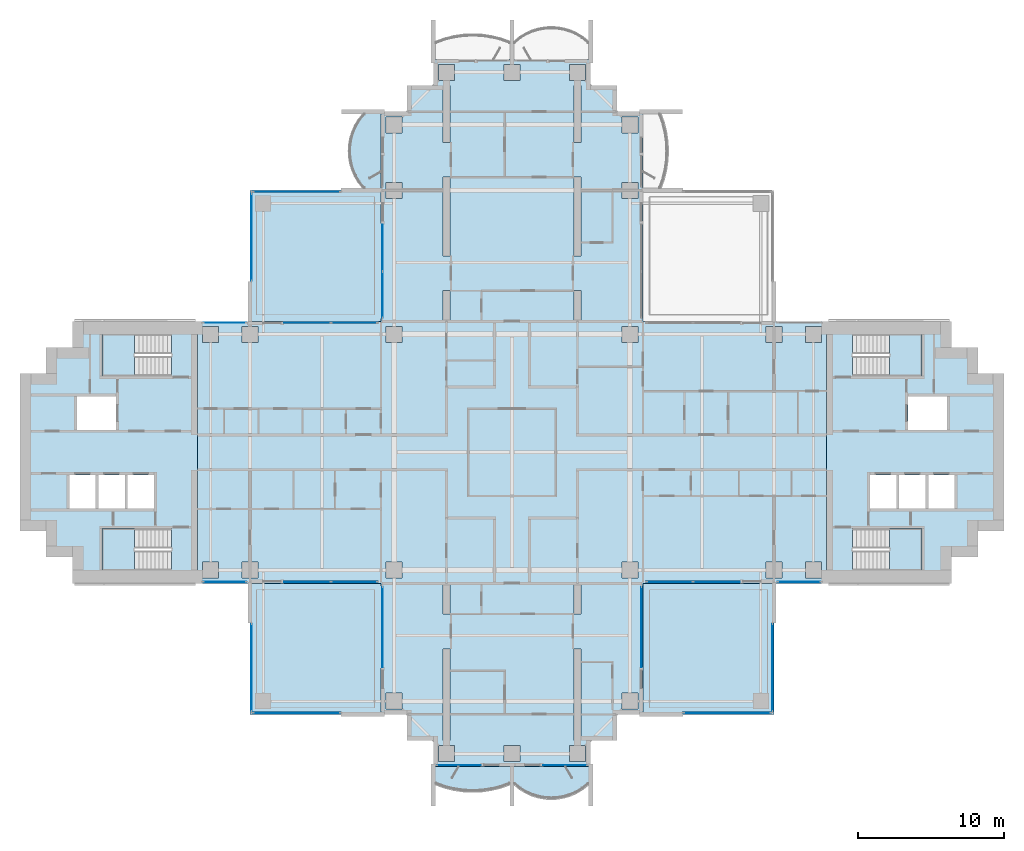
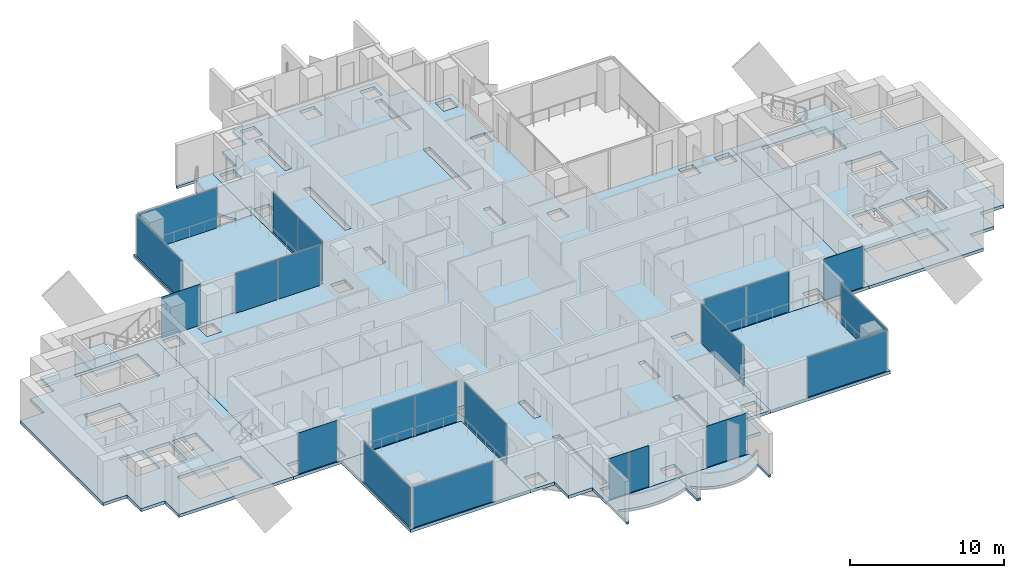
# One storey, part 7 of 19: 21 plates, 13 slabs, 21 elements without a shape of their own.
"""IFC4 building model written with IfcOpenShell, lengths in metres."""

from ifc_helpers import new_model, si_unit, direction, frame, origin, origin_2d, place, context, subcontext, project, spatial, polyline, rectangle, outline, extrude, material, layer, layer_set, type_object, element, aggregate, save


model = new_model("IFC4")

# Units and contexts
model_context = context("Model", 3, precision=1e-05, world=origin(), true_north=direction((0.0, 1.0)))
body_context = subcontext(model_context, "Body", "Model", "MODEL_VIEW")
ifc_project = project(units=[si_unit("LENGTHUNIT", "METRE"), si_unit("AREAUNIT", "SQUARE_METRE"), si_unit("VOLUMEUNIT", "CUBIC_METRE"), si_unit("PLANEANGLEUNIT", "RADIAN"), si_unit("MASSUNIT", "GRAM", prefix="KILO")], contexts=[model_context])

# Site, building, storey
site_placement = place(None, origin())
site = spatial("IfcSite", under=ifc_project, at=site_placement, CompositionType="ELEMENT")
building_placement = place(site_placement, origin())
building = spatial("IfcBuilding", under=site, at=building_placement, Name="Perihelion Cross Residences", CompositionType="ELEMENT")
storey_placement = place(building_placement, frame((0.0, 0.0, 126.89990234375)))
storey = spatial("IfcBuildingStorey", under=building, at=storey_placement, Name="L30", CompositionType="ELEMENT", Elevation=126.89990234375)

# Slabs
ifc_material_1 = material(Name="Concrete C40/50", Category="concrete")
ifc_layer_1 = layer(ifc_material_1, 0.199951171875)
ifc_layer_set_1 = layer_set([ifc_layer_1], Name="Balcony slab 200")
slab_type_1 = type_object("IfcSlabType", Name="Balcony slab 200", PredefinedType="FLOOR", material=ifc_layer_set_1)
slab_1_placement = place(storey_placement, frame((0.0, 0.0, -0.199951171875)))
element("IfcSlab", 1, at=slab_1_placement, inside=storey, type_object=slab_type_1, Name="Slab BK1 L30 north side west bay 1 balcony", PredefinedType="FLOOR", context=body_context, shape_type="SweptSolid", body=[
    extrude(outline(polyline([(-9.0, 23.39990234375), (-9.0, 18.0), (-11.699951171875, 18.0), (-11.699951171875, 18.14990234375), (-10.199951171875, 18.14990234375), (-10.5400390625, 18.574951171875), (-10.792724609375, 19.0), (-10.9765625, 19.425048828125), (-11.1025390625, 19.85009765625), (-11.17578125, 20.27490234375), (-11.199951171875, 20.699951171875), (-11.17578125, 21.125), (-11.1025390625, 21.550048828125), (-10.9765625, 21.97509765625), (-10.792724609375, 22.39990234375), (-10.5400390625, 22.824951171875), (-10.199951171875, 23.25), (-11.699951171875, 23.25), (-11.699951171875, 23.39990234375), (-9.0, 23.39990234375)])), origin(), (0.0, 0.0, 1.0), 0.199951171875),
])
slab_2_placement = place(storey_placement, frame((0.0, 0.0, -0.199951171875)))
element("IfcSlab", 2, at=slab_2_placement, inside=storey, type_object=slab_type_1, Name="Slab BK1 L30 south tip south bay 1 balcony", PredefinedType="FLOOR", context=body_context, shape_type="SweptSolid", body=[
    extrude(outline(polyline([(-5.39990234375, -21.60009765625), (0.0, -21.60009765625), (0.0, -24.300048828125), (-0.14990234375, -24.300048828125), (-0.14990234375, -22.800048828125), (-0.78759765625, -23.0234375), (-1.425048828125, -23.178466796875), (-2.0625, -23.269775390625), (-2.699951171875, -23.300048828125), (-3.33740234375, -23.269775390625), (-3.97509765625, -23.178466796875), (-4.612548828125, -23.0234375), (-5.25, -22.800048828125), (-5.25, -24.300048828125), (-5.39990234375, -24.300048828125), (-5.39990234375, -21.60009765625)])), origin(), (0.0, 0.0, 1.0), 0.199951171875),
])
slab_3_placement = place(storey_placement, frame((0.0, 0.0, -0.199951171875)))
element("IfcSlab", 3, at=slab_3_placement, inside=storey, type_object=slab_type_1, Name="Slab BK1 L30 south tip south bay 2 balcony", PredefinedType="FLOOR", context=body_context, shape_type="SweptSolid", body=[
    extrude(outline(polyline([(0.0, -21.60009765625), (5.39990234375, -21.60009765625), (5.39990234375, -24.300048828125), (5.25, -24.300048828125), (5.25, -22.800048828125), (4.824951171875, -23.14013671875), (4.39990234375, -23.392578125), (3.97509765625, -23.57666015625), (3.550048828125, -23.702392578125), (3.125, -23.77587890625), (2.699951171875, -23.800048828125), (2.27490234375, -23.77587890625), (1.85009765625, -23.702392578125), (1.425048828125, -23.57666015625), (1.0, -23.392578125), (0.574951171875, -23.14013671875), (0.14990234375, -22.800048828125), (0.14990234375, -24.300048828125), (0.0, -24.300048828125), (0.0, -21.60009765625)])), origin(), (0.0, 0.0, 1.0), 0.199951171875),
])

# Curtain wall, plates
ifc_material_2 = material(Name="Bronze anodised aluminium, tinted glazing", Category="aluminium")
curtain_wall_type_1 = type_object("IfcCurtainWallType", Name="CW1", PredefinedType="NOTDEFINED", material=ifc_material_2)
curtain_wall_1_placement = place(storey_placement, origin())
curtain_wall_1 = element("IfcCurtainWall", 4, at=curtain_wall_1_placement, inside=storey, type_object=curtain_wall_type_1, Name="Curtain wall CW1 L30 north side west bay 2", PredefinedType="NOTDEFINED")
ifc_material_3 = material(Name="Tinted laminated glass", Category="glass")
ifc_layer_2 = layer(ifc_material_3, 0.028076171875)
ifc_layer_set_2 = layer_set([ifc_layer_2], Name="CW1 panel")
plate_type_1 = type_object("IfcPlateType", Name="CW1 panel", PredefinedType="CURTAIN_PANEL", material=ifc_layer_set_2)
plate_1_placement = place(storey_placement, frame((-8.89990234375, 14.052490234375, 0.000244140625), z_axis=(0.0, 0.0, 1.0), x_axis=(0.0, -1.0, 0.0)))
plate_1 = element("IfcPlate", 5, at=plate_1_placement, type_object=plate_type_1, Name="CW1 panel 1", PredefinedType="CURTAIN_PANEL", context=body_context, shape_type="SweptSolid", body=[
    extrude(rectangle(XDim=3.195068359375, YDim=0.028076171875, at=origin_2d()), origin(), (0.0, 0.0, 1.0), 3.18994140625),
])
plate_2_placement = place(storey_placement, frame((-8.89990234375, 10.827392578125, 0.000244140625), z_axis=(0.0, 0.0, 1.0), x_axis=(0.0, -1.0, 0.0)))
plate_2 = element("IfcPlate", 6, at=plate_2_placement, type_object=plate_type_1, Name="CW1 panel 2", PredefinedType="CURTAIN_PANEL", context=body_context, shape_type="SweptSolid", body=[
    extrude(rectangle(XDim=3.135009765625, YDim=0.028076171875, at=origin_2d()), origin(), (0.0, 0.0, 1.0), 3.18994140625),
])
aggregate(curtain_wall_1, [plate_1, plate_2])

curtain_wall_2_placement = place(storey_placement, origin())
curtain_wall_2 = element("IfcCurtainWall", 7, at=curtain_wall_2_placement, inside=storey, type_object=curtain_wall_type_1, Name="Curtain wall CW1 L30 west side north bay 1", PredefinedType="NOTDEFINED")
plate_3_placement = place(storey_placement, frame((-10.827392578125, 8.89990234375, 0.000244140625), z_axis=(0.0, 0.0, 1.0), x_axis=(-1.0, 0.0, 0.0)))
plate_3 = element("IfcPlate", 8, at=plate_3_placement, type_object=plate_type_1, Name="CW1 panel 1", PredefinedType="CURTAIN_PANEL", context=body_context, shape_type="SweptSolid", body=[
    extrude(rectangle(XDim=3.135009765625, YDim=0.028076171875, at=origin_2d()), origin(), (0.0, 0.0, 1.0), 3.18994140625),
])
plate_4_placement = place(storey_placement, frame((-14.052490234375, 8.89990234375, 0.000244140625), z_axis=(0.0, 0.0, 1.0), x_axis=(-1.0, 0.0, 0.0)))
plate_4 = element("IfcPlate", 9, at=plate_4_placement, type_object=plate_type_1, Name="CW1 panel 2", PredefinedType="CURTAIN_PANEL", context=body_context, shape_type="SweptSolid", body=[
    extrude(rectangle(XDim=3.195068359375, YDim=0.028076171875, at=origin_2d()), origin(), (0.0, 0.0, 1.0), 3.18994140625),
])
aggregate(curtain_wall_2, [plate_3, plate_4])

# Curtain wall, plate
curtain_wall_3_placement = place(storey_placement, origin())
curtain_wall_3 = element("IfcCurtainWall", 10, at=curtain_wall_3_placement, inside=storey, type_object=curtain_wall_type_1, Name="Curtain wall CW1 L30 west side north bay 2", PredefinedType="NOTDEFINED")
plate_5_placement = place(storey_placement, frame((-19.72509765625, 8.89990234375, 0.0), z_axis=(0.0, 0.0, 1.0), x_axis=(-1.0, 0.0, 0.0)))
plate_5 = element("IfcPlate", 11, at=plate_5_placement, type_object=plate_type_1, Name="CW1 panel 1", PredefinedType="CURTAIN_PANEL", context=body_context, shape_type="SweptSolid", body=[
    extrude(rectangle(XDim=2.929931640625, YDim=0.028076171875, at=origin_2d()), origin(), (0.0, 0.0, 1.0), 3.25),
])
aggregate(curtain_wall_3, [plate_5])

curtain_wall_4_placement = place(storey_placement, origin())
curtain_wall_4 = element("IfcCurtainWall", 12, at=curtain_wall_4_placement, inside=storey, type_object=curtain_wall_type_1, Name="Curtain wall CW1 L30 west side south bay 1", PredefinedType="NOTDEFINED")
plate_6_placement = place(storey_placement, frame((-19.72509765625, -8.89990234375, 0.0), z_axis=(0.0, 0.0, 1.0), x_axis=(1.0, 0.0, 0.0)))
plate_6 = element("IfcPlate", 13, at=plate_6_placement, type_object=plate_type_1, Name="CW1 panel 1", PredefinedType="CURTAIN_PANEL", context=body_context, shape_type="SweptSolid", body=[
    extrude(rectangle(XDim=2.929931640625, YDim=0.028076171875, at=origin_2d()), origin(), (0.0, 0.0, 1.0), 3.25),
])
aggregate(curtain_wall_4, [plate_6])

# Curtain wall, plates
curtain_wall_5_placement = place(storey_placement, origin())
curtain_wall_5 = element("IfcCurtainWall", 14, at=curtain_wall_5_placement, inside=storey, type_object=curtain_wall_type_1, Name="Curtain wall CW1 L30 west side south bay 2", PredefinedType="NOTDEFINED")
plate_7_placement = place(storey_placement, frame((-14.052490234375, -8.89990234375, 0.000244140625), z_axis=(0.0, 0.0, 1.0), x_axis=(1.0, 0.0, 0.0)))
plate_7 = element("IfcPlate", 15, at=plate_7_placement, type_object=plate_type_1, Name="CW1 panel 1", PredefinedType="CURTAIN_PANEL", context=body_context, shape_type="SweptSolid", body=[
    extrude(rectangle(XDim=3.195068359375, YDim=0.028076171875, at=origin_2d()), origin(), (0.0, 0.0, 1.0), 3.18994140625),
])
plate_8_placement = place(storey_placement, frame((-10.827392578125, -8.89990234375, 0.000244140625), z_axis=(0.0, 0.0, 1.0), x_axis=(1.0, 0.0, 0.0)))
plate_8 = element("IfcPlate", 16, at=plate_8_placement, type_object=plate_type_1, Name="CW1 panel 2", PredefinedType="CURTAIN_PANEL", context=body_context, shape_type="SweptSolid", body=[
    extrude(rectangle(XDim=3.135009765625, YDim=0.028076171875, at=origin_2d()), origin(), (0.0, 0.0, 1.0), 3.18994140625),
])
aggregate(curtain_wall_5, [plate_7, plate_8])

# Curtain wall, plate
curtain_wall_6_placement = place(storey_placement, origin())
curtain_wall_6 = element("IfcCurtainWall", 17, at=curtain_wall_6_placement, inside=storey, type_object=curtain_wall_type_1, Name="Curtain wall CW1 L30 south side west bay 1", PredefinedType="NOTDEFINED")
plate_9_placement = place(storey_placement, frame((-8.89990234375, -12.0048828125, 0.000244140625), z_axis=(0.0, 0.0, 1.0), x_axis=(0.0, -1.0, 0.0)))
plate_9 = element("IfcPlate", 18, at=plate_9_placement, type_object=plate_type_1, Name="CW1 panel 1", PredefinedType="CURTAIN_PANEL", context=body_context, shape_type="SweptSolid", body=[
    extrude(rectangle(XDim=5.489990234375, YDim=0.028076171875, at=origin_2d()), origin(), (0.0, 0.0, 1.0), 3.18994140625),
])
aggregate(curtain_wall_6, [plate_9])

curtain_wall_7_placement = place(storey_placement, origin())
curtain_wall_7 = element("IfcCurtainWall", 19, at=curtain_wall_7_placement, inside=storey, type_object=curtain_wall_type_1, Name="Curtain wall CW1 L30 south tip south bay 1", PredefinedType="NOTDEFINED")
plate_10_placement = place(storey_placement, frame((-3.64501953125, -21.5, 0.0), z_axis=(0.0, 0.0, 1.0), x_axis=(1.0, 0.0, 0.0)))
plate_10 = element("IfcPlate", 20, at=plate_10_placement, type_object=plate_type_1, Name="CW1 panel 1", PredefinedType="CURTAIN_PANEL", context=body_context, shape_type="SweptSolid", body=[
    extrude(rectangle(XDim=2.989990234375, YDim=0.028076171875, at=origin_2d()), origin(), (0.0, 0.0, 1.0), 3.25),
])
aggregate(curtain_wall_7, [plate_10])

curtain_wall_8_placement = place(storey_placement, origin())
curtain_wall_8 = element("IfcCurtainWall", 21, at=curtain_wall_8_placement, inside=storey, type_object=curtain_wall_type_1, Name="Curtain wall CW1 L30 south tip south bay 2", PredefinedType="NOTDEFINED")
plate_11_placement = place(storey_placement, frame((3.64501953125, -21.5, 0.0), z_axis=(0.0, 0.0, 1.0), x_axis=(1.0, 0.0, 0.0)))
plate_11 = element("IfcPlate", 22, at=plate_11_placement, type_object=plate_type_1, Name="CW1 panel 1", PredefinedType="CURTAIN_PANEL", context=body_context, shape_type="SweptSolid", body=[
    extrude(rectangle(XDim=2.989990234375, YDim=0.028076171875, at=origin_2d()), origin(), (0.0, 0.0, 1.0), 3.25),
])
aggregate(curtain_wall_8, [plate_11])

curtain_wall_9_placement = place(storey_placement, origin())
curtain_wall_9 = element("IfcCurtainWall", 23, at=curtain_wall_9_placement, inside=storey, type_object=curtain_wall_type_1, Name="Curtain wall CW1 L30 south side east bay 1", PredefinedType="NOTDEFINED")
plate_12_placement = place(storey_placement, frame((8.89990234375, -12.0048828125, 0.000244140625), z_axis=(0.0, 0.0, 1.0), x_axis=(0.0, 1.0, 0.0)))
plate_12 = element("IfcPlate", 24, at=plate_12_placement, type_object=plate_type_1, Name="CW1 panel 1", PredefinedType="CURTAIN_PANEL", context=body_context, shape_type="SweptSolid", body=[
    extrude(rectangle(XDim=5.489990234375, YDim=0.028076171875, at=origin_2d()), origin(), (0.0, 0.0, 1.0), 3.18994140625),
])
aggregate(curtain_wall_9, [plate_12])

# Curtain wall, plates
curtain_wall_10_placement = place(storey_placement, origin())
curtain_wall_10 = element("IfcCurtainWall", 25, at=curtain_wall_10_placement, inside=storey, type_object=curtain_wall_type_1, Name="Curtain wall CW1 L30 east side south bay 1", PredefinedType="NOTDEFINED")
plate_13_placement = place(storey_placement, frame((10.827392578125, -8.89990234375, 0.000244140625), z_axis=(0.0, 0.0, 1.0), x_axis=(1.0, 0.0, 0.0)))
plate_13 = element("IfcPlate", 26, at=plate_13_placement, type_object=plate_type_1, Name="CW1 panel 1", PredefinedType="CURTAIN_PANEL", context=body_context, shape_type="SweptSolid", body=[
    extrude(rectangle(XDim=3.135009765625, YDim=0.028076171875, at=origin_2d()), origin(), (0.0, 0.0, 1.0), 3.18994140625),
])
plate_14_placement = place(storey_placement, frame((14.052490234375, -8.89990234375, 0.000244140625), z_axis=(0.0, 0.0, 1.0), x_axis=(1.0, 0.0, 0.0)))
plate_14 = element("IfcPlate", 27, at=plate_14_placement, type_object=plate_type_1, Name="CW1 panel 2", PredefinedType="CURTAIN_PANEL", context=body_context, shape_type="SweptSolid", body=[
    extrude(rectangle(XDim=3.195068359375, YDim=0.028076171875, at=origin_2d()), origin(), (0.0, 0.0, 1.0), 3.18994140625),
])
aggregate(curtain_wall_10, [plate_13, plate_14])

# Curtain wall, plate
curtain_wall_11_placement = place(storey_placement, origin())
curtain_wall_11 = element("IfcCurtainWall", 28, at=curtain_wall_11_placement, inside=storey, type_object=curtain_wall_type_1, Name="Curtain wall CW1 L30 east side south bay 2", PredefinedType="NOTDEFINED")
plate_15_placement = place(storey_placement, frame((19.72509765625, -8.89990234375, 0.0), z_axis=(0.0, 0.0, 1.0), x_axis=(1.0, 0.0, 0.0)))
plate_15 = element("IfcPlate", 29, at=plate_15_placement, type_object=plate_type_1, Name="CW1 panel 1", PredefinedType="CURTAIN_PANEL", context=body_context, shape_type="SweptSolid", body=[
    extrude(rectangle(XDim=2.929931640625, YDim=0.028076171875, at=origin_2d()), origin(), (0.0, 0.0, 1.0), 3.25),
])
aggregate(curtain_wall_11, [plate_15])

ifc_material_4 = material(Name="Bronze anodised aluminium, tinted glazing", Category="aluminium")
curtain_wall_type_2 = type_object("IfcCurtainWallType", Name="CW4", PredefinedType="NOTDEFINED", material=ifc_material_4)
curtain_wall_12_placement = place(storey_placement, origin())
curtain_wall_12 = element("IfcCurtainWall", 30, at=curtain_wall_12_placement, inside=storey, type_object=curtain_wall_type_2, Name="Curtain wall CW4 L30 pocket north-west 1 1", PredefinedType="NOTDEFINED")
ifc_material_5 = material(Name="Tinted laminated glass", Category="glass")
ifc_layer_3 = layer(ifc_material_5, 0.030029296875)
ifc_layer_set_3 = layer_set([ifc_layer_3], Name="CW4 panel")
plate_type_2 = type_object("IfcPlateType", Name="CW4 panel", PredefinedType="CURTAIN_PANEL", material=ifc_layer_set_3)
plate_16_placement = place(storey_placement, frame((-17.89990234375, 14.784912109375, 0.000244140625), z_axis=(0.0, 0.0, 1.0), x_axis=(0.0, 1.0, 0.0)))
plate_16 = element("IfcPlate", 31, at=plate_16_placement, type_object=plate_type_2, Name="CW4 panel 1", PredefinedType="CURTAIN_PANEL", context=body_context, shape_type="SweptSolid", body=[
    extrude(rectangle(XDim=5.969970703125, YDim=0.030029296875, at=origin_2d()), origin(), (0.0, 0.0, 1.0), 3.18994140625),
])
aggregate(curtain_wall_12, [plate_16])

curtain_wall_13_placement = place(storey_placement, origin())
curtain_wall_13 = element("IfcCurtainWall", 32, at=curtain_wall_13_placement, inside=storey, type_object=curtain_wall_type_2, Name="Curtain wall CW4 L30 pocket north-west 1 2", PredefinedType="NOTDEFINED")
plate_17_placement = place(storey_placement, frame((-14.784912109375, 17.89990234375, 0.000244140625), z_axis=(0.0, 0.0, 1.0), x_axis=(1.0, 0.0, 0.0)))
plate_17 = element("IfcPlate", 33, at=plate_17_placement, type_object=plate_type_2, Name="CW4 panel 1", PredefinedType="CURTAIN_PANEL", context=body_context, shape_type="SweptSolid", body=[
    extrude(rectangle(XDim=5.969970703125, YDim=0.030029296875, at=origin_2d()), origin(), (0.0, 0.0, 1.0), 3.18994140625),
])
aggregate(curtain_wall_13, [plate_17])

curtain_wall_14_placement = place(storey_placement, origin())
curtain_wall_14 = element("IfcCurtainWall", 34, at=curtain_wall_14_placement, inside=storey, type_object=curtain_wall_type_2, Name="Curtain wall CW4 L30 pocket south-east 1 1", PredefinedType="NOTDEFINED")
plate_18_placement = place(storey_placement, frame((17.89990234375, -14.784912109375, 0.000244140625), z_axis=(0.0, 0.0, 1.0), x_axis=(0.0, -1.0, 0.0)))
plate_18 = element("IfcPlate", 35, at=plate_18_placement, type_object=plate_type_2, Name="CW4 panel 1", PredefinedType="CURTAIN_PANEL", context=body_context, shape_type="SweptSolid", body=[
    extrude(rectangle(XDim=5.969970703125, YDim=0.030029296875, at=origin_2d()), origin(), (0.0, 0.0, 1.0), 3.18994140625),
])
aggregate(curtain_wall_14, [plate_18])

curtain_wall_15_placement = place(storey_placement, origin())
curtain_wall_15 = element("IfcCurtainWall", 36, at=curtain_wall_15_placement, inside=storey, type_object=curtain_wall_type_2, Name="Curtain wall CW4 L30 pocket south-east 1 2", PredefinedType="NOTDEFINED")
plate_19_placement = place(storey_placement, frame((14.784912109375, -17.89990234375, 0.000244140625), z_axis=(0.0, 0.0, 1.0), x_axis=(-1.0, 0.0, 0.0)))
plate_19 = element("IfcPlate", 37, at=plate_19_placement, type_object=plate_type_2, Name="CW4 panel 1", PredefinedType="CURTAIN_PANEL", context=body_context, shape_type="SweptSolid", body=[
    extrude(rectangle(XDim=5.969970703125, YDim=0.030029296875, at=origin_2d()), origin(), (0.0, 0.0, 1.0), 3.18994140625),
])
aggregate(curtain_wall_15, [plate_19])

curtain_wall_16_placement = place(storey_placement, origin())
curtain_wall_16 = element("IfcCurtainWall", 38, at=curtain_wall_16_placement, inside=storey, type_object=curtain_wall_type_2, Name="Curtain wall CW4 L30 pocket south-west 1 1", PredefinedType="NOTDEFINED")
plate_20_placement = place(storey_placement, frame((-14.784912109375, -17.89990234375, 0.000244140625), z_axis=(0.0, 0.0, 1.0), x_axis=(-1.0, 0.0, 0.0)))
plate_20 = element("IfcPlate", 39, at=plate_20_placement, type_object=plate_type_2, Name="CW4 panel 1", PredefinedType="CURTAIN_PANEL", context=body_context, shape_type="SweptSolid", body=[
    extrude(rectangle(XDim=5.969970703125, YDim=0.030029296875, at=origin_2d()), origin(), (0.0, 0.0, 1.0), 3.18994140625),
])
aggregate(curtain_wall_16, [plate_20])

curtain_wall_17_placement = place(storey_placement, origin())
curtain_wall_17 = element("IfcCurtainWall", 40, at=curtain_wall_17_placement, inside=storey, type_object=curtain_wall_type_2, Name="Curtain wall CW4 L30 pocket south-west 1 2", PredefinedType="NOTDEFINED")
plate_21_placement = place(storey_placement, frame((-17.89990234375, -14.784912109375, 0.000244140625), z_axis=(0.0, 0.0, 1.0), x_axis=(0.0, 1.0, 0.0)))
plate_21 = element("IfcPlate", 41, at=plate_21_placement, type_object=plate_type_2, Name="CW4 panel 1", PredefinedType="CURTAIN_PANEL", context=body_context, shape_type="SweptSolid", body=[
    extrude(rectangle(XDim=5.969970703125, YDim=0.030029296875, at=origin_2d()), origin(), (0.0, 0.0, 1.0), 3.18994140625),
])
aggregate(curtain_wall_17, [plate_21])

# Slabs
ifc_material_6 = material(Name="Concrete C40/50", Category="concrete")
ifc_layer_4 = layer(ifc_material_6, 0.25)
ifc_layer_set_4 = layer_set([ifc_layer_4], Name="Core floor slab 250")
slab_type_2 = type_object("IfcSlabType", Name="Core floor slab 250", PredefinedType="FLOOR", material=ifc_layer_set_4)
slab_4_placement = place(storey_placement, frame((0.0, 0.0, -0.25)))
element("IfcSlab", 42, at=slab_4_placement, inside=storey, type_object=slab_type_2, Name="East core floor slab", PredefinedType="FLOOR", context=body_context, shape_type="SweptSolid", body=[
    extrude(outline(polyline([(30.199951171875, 7.199951171875), (32.0, 7.199951171875), (32.0, 5.39990234375), (33.800048828125, 5.39990234375), (33.800048828125, -5.39990234375), (32.0, -5.39990234375), (32.0, -7.199951171875), (30.199951171875, -7.199951171875), (30.199951171875, -9.0), (21.60009765625, -9.0), (21.60009765625, 9.0), (30.199951171875, 9.0), (30.199951171875, 7.199951171875)]), holes=[polyline([(28.14990234375, -8.10009765625), (28.14990234375, -5.25), (23.405029296875, -5.25), (23.405029296875, -8.10009765625), (28.14990234375, -8.10009765625)]), polyline([(24.60009765625, -1.550048828125), (24.60009765625, -3.85009765625), (26.39990234375, -3.85009765625), (26.39990234375, -1.550048828125), (24.60009765625, -1.550048828125)]), polyline([(26.60009765625, -1.550048828125), (26.60009765625, -3.85009765625), (28.39990234375, -3.85009765625), (28.39990234375, -1.550048828125), (26.60009765625, -1.550048828125)]), polyline([(28.60009765625, -3.85009765625), (30.39990234375, -3.85009765625), (30.39990234375, -1.550048828125), (28.60009765625, -1.550048828125), (28.60009765625, -3.85009765625)]), polyline([(27.199951171875, 3.85009765625), (27.199951171875, 1.550048828125), (29.89990234375, 1.550048828125), (29.89990234375, 3.85009765625), (27.199951171875, 3.85009765625)]), polyline([(23.405029296875, 5.25), (28.14990234375, 5.25), (28.14990234375, 8.10009765625), (23.405029296875, 8.10009765625), (23.405029296875, 5.25)])]), origin(), (0.0, 0.0, 1.0), 0.25),
])
slab_5_placement = place(storey_placement, frame((0.0, 0.0, -0.25)))
element("IfcSlab", 43, at=slab_5_placement, inside=storey, type_object=slab_type_2, Name="West core floor slab", PredefinedType="FLOOR", context=body_context, shape_type="SweptSolid", body=[
    extrude(outline(polyline([(-30.199951171875, 7.199951171875), (-32.0, 7.199951171875), (-32.0, 5.39990234375), (-33.800048828125, 5.39990234375), (-33.800048828125, -5.39990234375), (-32.0, -5.39990234375), (-32.0, -7.199951171875), (-30.199951171875, -7.199951171875), (-30.199951171875, -9.0), (-21.60009765625, -9.0), (-21.60009765625, 9.0), (-30.199951171875, 9.0), (-30.199951171875, 7.199951171875)]), holes=[polyline([(-28.14990234375, -8.10009765625), (-28.14990234375, -5.25), (-23.405029296875, -5.25), (-23.405029296875, -8.10009765625), (-28.14990234375, -8.10009765625)]), polyline([(-24.60009765625, -1.550048828125), (-24.60009765625, -3.85009765625), (-26.39990234375, -3.85009765625), (-26.39990234375, -1.550048828125), (-24.60009765625, -1.550048828125)]), polyline([(-26.60009765625, -1.550048828125), (-26.60009765625, -3.85009765625), (-28.39990234375, -3.85009765625), (-28.39990234375, -1.550048828125), (-26.60009765625, -1.550048828125)]), polyline([(-28.60009765625, -3.85009765625), (-30.39990234375, -3.85009765625), (-30.39990234375, -1.550048828125), (-28.60009765625, -1.550048828125), (-28.60009765625, -3.85009765625)]), polyline([(-27.199951171875, 3.85009765625), (-27.199951171875, 1.550048828125), (-29.89990234375, 1.550048828125), (-29.89990234375, 3.85009765625), (-27.199951171875, 3.85009765625)]), polyline([(-23.405029296875, 5.25), (-28.14990234375, 5.25), (-28.14990234375, 8.10009765625), (-23.405029296875, 8.10009765625), (-23.405029296875, 5.25)])]), origin(), (0.0, 0.0, 1.0), 0.25),
])

# Stair, slab
ifc_material_7 = material(Name="Concrete C40/50", Category="concrete")
stair_type = type_object("IfcStairType", Name="Exit stair, half-turn", PredefinedType="HALF_TURN_STAIR", material=ifc_material_7)
stair_1_placement = place(storey_placement, origin())
stair_1 = element("IfcStair", 44, at=stair_1_placement, inside=storey, type_object=stair_type, Name="L30 East core exit stair 1", PredefinedType="HALF_TURN_STAIR")
ifc_material_8 = material(Name="Concrete C40/50", Category="concrete")
ifc_layer_5 = layer(ifc_material_8, 0.199951171875)
ifc_layer_set_5 = layer_set([ifc_layer_5], Name="Exit stair landing 200")
slab_type_3 = type_object("IfcSlabType", Name="Exit stair landing 200", PredefinedType="LANDING", material=ifc_layer_set_5)
slab_6_placement = place(storey_placement, frame((0.0, 0.0, 1.550048828125)))
slab_6 = element("IfcSlab", 45, at=slab_6_placement, type_object=slab_type_3, Name="ST-E1 landing 1", PredefinedType="LANDING", context=body_context, shape_type="SweptSolid", body=[
    extrude(outline(polyline([(25.919921875, 5.25), (28.14990234375, 5.25), (28.14990234375, 8.10009765625), (25.919921875, 8.10009765625), (25.919921875, 5.25)])), origin(), (0.0, 0.0, 1.0), 0.199951171875),
])
aggregate(stair_1, [slab_6])

stair_2_placement = place(storey_placement, origin())
stair_2 = element("IfcStair", 46, at=stair_2_placement, inside=storey, type_object=stair_type, Name="L30 East core exit stair 2", PredefinedType="HALF_TURN_STAIR")
slab_7_placement = place(storey_placement, frame((0.0, 0.0, 1.550048828125)))
slab_7 = element("IfcSlab", 47, at=slab_7_placement, type_object=slab_type_3, Name="ST-E2 landing 1", PredefinedType="LANDING", context=body_context, shape_type="SweptSolid", body=[
    extrude(outline(polyline([(25.919921875, -8.10009765625), (28.14990234375, -8.10009765625), (28.14990234375, -5.25), (25.919921875, -5.25), (25.919921875, -8.10009765625)])), origin(), (0.0, 0.0, 1.0), 0.199951171875),
])
aggregate(stair_2, [slab_7])

stair_3_placement = place(storey_placement, origin())
stair_3 = element("IfcStair", 48, at=stair_3_placement, inside=storey, type_object=stair_type, Name="L30 West core exit stair 1", PredefinedType="HALF_TURN_STAIR")
slab_8_placement = place(storey_placement, frame((0.0, 0.0, 1.550048828125)))
slab_8 = element("IfcSlab", 49, at=slab_8_placement, type_object=slab_type_3, Name="ST-W1 landing 1", PredefinedType="LANDING", context=body_context, shape_type="SweptSolid", body=[
    extrude(outline(polyline([(-25.919921875, 8.10009765625), (-28.14990234375, 8.10009765625), (-28.14990234375, 5.25), (-25.919921875, 5.25), (-25.919921875, 8.10009765625)])), origin(), (0.0, 0.0, 1.0), 0.199951171875),
])
aggregate(stair_3, [slab_8])

stair_4_placement = place(storey_placement, origin())
stair_4 = element("IfcStair", 50, at=stair_4_placement, inside=storey, type_object=stair_type, Name="L30 West core exit stair 2", PredefinedType="HALF_TURN_STAIR")
slab_9_placement = place(storey_placement, frame((0.0, 0.0, 1.550048828125)))
slab_9 = element("IfcSlab", 51, at=slab_9_placement, type_object=slab_type_3, Name="ST-W2 landing 1", PredefinedType="LANDING", context=body_context, shape_type="SweptSolid", body=[
    extrude(outline(polyline([(-25.919921875, -5.25), (-28.14990234375, -5.25), (-28.14990234375, -8.10009765625), (-25.919921875, -8.10009765625), (-25.919921875, -5.25)])), origin(), (0.0, 0.0, 1.0), 0.199951171875),
])
aggregate(stair_4, [slab_9])

# Slabs
ifc_material_9 = material(Name="Concrete C50/60", Category="concrete")
ifc_layer_6 = layer(ifc_material_9, 0.25)
ifc_layer_set_6 = layer_set([ifc_layer_6], Name="Residential floor post-tensioned slab concrete C50/60")
slab_type_4 = type_object("IfcSlabType", Name="Residential floor post-tensioned slab concrete C50/60", PredefinedType="FLOOR", material=ifc_layer_set_6)
slab_10_placement = place(storey_placement, frame((0.0, 0.0, -0.25)))
element("IfcSlab", 52, at=slab_10_placement, inside=storey, type_object=slab_type_4, Name="Slab SL8 L30 1 no. 1", PredefinedType="FLOOR", context=body_context, shape_type="SweptSolid", body=[
    extrude(outline(polyline([(-9.0, 9.0), (-9.0, 23.39990234375), (-7.199951171875, 23.39990234375), (-7.199951171875, 25.199951171875), (-5.39990234375, 25.199951171875), (-5.39990234375, 27.0), (5.39990234375, 27.0), (5.39990234375, 25.199951171875), (7.199951171875, 25.199951171875), (7.199951171875, 23.39990234375), (9.0, 23.39990234375), (9.0, 9.0), (21.60009765625, 9.0), (21.60009765625, -9.0), (9.0, -9.0), (9.0, -18.0), (7.199951171875, -18.0), (7.199951171875, -19.800048828125), (5.39990234375, -19.800048828125), (5.39990234375, -21.60009765625), (-5.39990234375, -21.60009765625), (-5.39990234375, -19.800048828125), (-7.199951171875, -19.800048828125), (-7.199951171875, -18.0), (-9.0, -18.0), (-9.0, -9.0), (-21.60009765625, -9.0), (-21.60009765625, 9.0), (-9.0, 9.0)]), holes=[polyline([(0.550048828125, -21.25), (0.550048828125, -20.14990234375), (-0.550048828125, -20.14990234375), (-0.550048828125, -21.25), (0.550048828125, -21.25)]), polyline([(-3.949951171875, -21.25), (-3.949951171875, -20.14990234375), (-5.050048828125, -20.14990234375), (-5.050048828125, -21.25), (-3.949951171875, -21.25)]), polyline([(-7.550048828125, -17.64990234375), (-7.550048828125, -16.550048828125), (-8.64990234375, -16.550048828125), (-8.64990234375, -17.64990234375), (-7.550048828125, -17.64990234375)]), polyline([(-4.25, -19.800048828125), (-4.25, -13.5), (-4.75, -13.5), (-4.75, -19.800048828125), (-4.25, -19.800048828125)]), polyline([(-4.25, -11.10009765625), (-4.25, -9.0), (-4.75, -9.0), (-4.75, -11.10009765625), (-4.25, -11.10009765625)]), polyline([(-20.14990234375, -8.64990234375), (-20.14990234375, -7.550048828125), (-21.25, -7.550048828125), (-21.25, -8.64990234375), (-20.14990234375, -8.64990234375)]), polyline([(-7.550048828125, -8.64990234375), (-7.550048828125, -7.550048828125), (-8.64990234375, -7.550048828125), (-8.64990234375, -8.64990234375), (-7.550048828125, -8.64990234375)]), polyline([(-18.550048828125, -8.64990234375), (-17.449951171875, -8.64990234375), (-17.449951171875, -7.550048828125), (-18.550048828125, -7.550048828125), (-18.550048828125, -8.64990234375)]), polyline([(-7.550048828125, 7.550048828125), (-7.550048828125, 8.64990234375), (-8.64990234375, 8.64990234375), (-8.64990234375, 7.550048828125), (-7.550048828125, 7.550048828125)]), polyline([(-17.449951171875, 7.550048828125), (-17.449951171875, 8.64990234375), (-18.550048828125, 8.64990234375), (-18.550048828125, 7.550048828125), (-17.449951171875, 7.550048828125)]), polyline([(-20.14990234375, 7.550048828125), (-20.14990234375, 8.64990234375), (-21.25, 8.64990234375), (-21.25, 7.550048828125), (-20.14990234375, 7.550048828125)]), polyline([(-4.25, 9.0), (-4.25, 11.10009765625), (-4.75, 11.10009765625), (-4.75, 9.0), (-4.25, 9.0)]), polyline([(-4.25, 13.5), (-4.25, 18.89990234375), (-4.75, 18.89990234375), (-4.75, 13.5), (-4.25, 13.5)]), polyline([(-7.550048828125, 17.449951171875), (-7.550048828125, 18.550048828125), (-8.64990234375, 18.550048828125), (-8.64990234375, 17.449951171875), (-7.550048828125, 17.449951171875)]), polyline([(-7.550048828125, 21.949951171875), (-7.550048828125, 23.050048828125), (-8.64990234375, 23.050048828125), (-8.64990234375, 21.949951171875), (-7.550048828125, 21.949951171875)]), polyline([(-4.75, 21.300048828125), (-4.25, 21.300048828125), (-4.25, 25.199951171875), (-4.75, 25.199951171875), (-4.75, 21.300048828125)]), polyline([(-5.050048828125, 25.550048828125), (-3.949951171875, 25.550048828125), (-3.949951171875, 26.64990234375), (-5.050048828125, 26.64990234375), (-5.050048828125, 25.550048828125)]), polyline([(5.050048828125, -21.25), (5.050048828125, -20.14990234375), (3.949951171875, -20.14990234375), (3.949951171875, -21.25), (5.050048828125, -21.25)]), polyline([(8.64990234375, -17.64990234375), (8.64990234375, -16.550048828125), (7.550048828125, -16.550048828125), (7.550048828125, -17.64990234375), (8.64990234375, -17.64990234375)]), polyline([(4.75, -19.800048828125), (4.75, -13.5), (4.25, -13.5), (4.25, -19.800048828125), (4.75, -19.800048828125)]), polyline([(4.75, -11.10009765625), (4.75, -9.0), (4.25, -9.0), (4.25, -11.10009765625), (4.75, -11.10009765625)]), polyline([(21.25, -8.64990234375), (21.25, -7.550048828125), (20.14990234375, -7.550048828125), (20.14990234375, -8.64990234375), (21.25, -8.64990234375)]), polyline([(18.550048828125, -8.64990234375), (18.550048828125, -7.550048828125), (17.449951171875, -7.550048828125), (17.449951171875, -8.64990234375), (18.550048828125, -8.64990234375)]), polyline([(8.64990234375, -8.64990234375), (8.64990234375, -7.550048828125), (7.550048828125, -7.550048828125), (7.550048828125, -8.64990234375), (8.64990234375, -8.64990234375)]), polyline([(7.550048828125, 7.550048828125), (8.64990234375, 7.550048828125), (8.64990234375, 8.64990234375), (7.550048828125, 8.64990234375), (7.550048828125, 7.550048828125)]), polyline([(18.550048828125, 7.550048828125), (18.550048828125, 8.64990234375), (17.449951171875, 8.64990234375), (17.449951171875, 7.550048828125), (18.550048828125, 7.550048828125)]), polyline([(21.25, 7.550048828125), (21.25, 8.64990234375), (20.14990234375, 8.64990234375), (20.14990234375, 7.550048828125), (21.25, 7.550048828125)]), polyline([(4.75, 9.0), (4.75, 11.10009765625), (4.25, 11.10009765625), (4.25, 9.0), (4.75, 9.0)]), polyline([(4.75, 13.5), (4.75, 18.89990234375), (4.25, 18.89990234375), (4.25, 13.5), (4.75, 13.5)]), polyline([(8.64990234375, 17.449951171875), (8.64990234375, 18.550048828125), (7.550048828125, 18.550048828125), (7.550048828125, 17.449951171875), (8.64990234375, 17.449951171875)]), polyline([(8.64990234375, 21.949951171875), (8.64990234375, 23.050048828125), (7.550048828125, 23.050048828125), (7.550048828125, 21.949951171875), (8.64990234375, 21.949951171875)]), polyline([(4.75, 21.300048828125), (4.75, 25.199951171875), (4.25, 25.199951171875), (4.25, 21.300048828125), (4.75, 21.300048828125)]), polyline([(3.949951171875, 25.550048828125), (5.050048828125, 25.550048828125), (5.050048828125, 26.64990234375), (3.949951171875, 26.64990234375), (3.949951171875, 25.550048828125)]), polyline([(-0.550048828125, 25.550048828125), (0.550048828125, 25.550048828125), (0.550048828125, 26.64990234375), (-0.550048828125, 26.64990234375), (-0.550048828125, 25.550048828125)])]), origin(), (0.0, 0.0, 1.0), 0.25),
])
ifc_material_10 = material(Name="Concrete C40/50", Category="concrete")
ifc_layer_7 = layer(ifc_material_10, 0.25)
ifc_layer_set_7 = layer_set([ifc_layer_7], Name="Winter garden slab")
slab_type_5 = type_object("IfcSlabType", Name="Winter garden slab", PredefinedType="FLOOR", material=ifc_layer_set_7)
slab_11_placement = place(storey_placement, frame((0.0, 0.0, -0.25)))
element("IfcSlab", 53, at=slab_11_placement, inside=storey, type_object=slab_type_5, Name="Slab BK3 L30 pocket north-west", PredefinedType="FLOOR", context=body_context, shape_type="SweptSolid", body=[
    extrude(outline(polyline([(-9.0, 9.0), (-9.0, 18.0), (-18.0, 18.0), (-18.0, 9.0), (-9.0, 9.0)])), origin(), (0.0, 0.0, 1.0), 0.25),
])
slab_12_placement = place(storey_placement, frame((0.0, 0.0, -0.25)))
element("IfcSlab", 54, at=slab_12_placement, inside=storey, type_object=slab_type_5, Name="Slab BK3 L30 pocket south-west", PredefinedType="FLOOR", context=body_context, shape_type="SweptSolid", body=[
    extrude(outline(polyline([(-9.0, -18.0), (-9.0, -9.0), (-18.0, -9.0), (-18.0, -18.0), (-9.0, -18.0)])), origin(), (0.0, 0.0, 1.0), 0.25),
])
slab_13_placement = place(storey_placement, frame((0.0, 0.0, -0.25)))
element("IfcSlab", 55, at=slab_13_placement, inside=storey, type_object=slab_type_5, Name="Slab BK3 L30 pocket south-east", PredefinedType="FLOOR", context=body_context, shape_type="SweptSolid", body=[
    extrude(outline(polyline([(18.0, -18.0), (18.0, -9.0), (9.0, -9.0), (9.0, -18.0), (18.0, -18.0)])), origin(), (0.0, 0.0, 1.0), 0.25),
])

save(model, "model.ifc")
